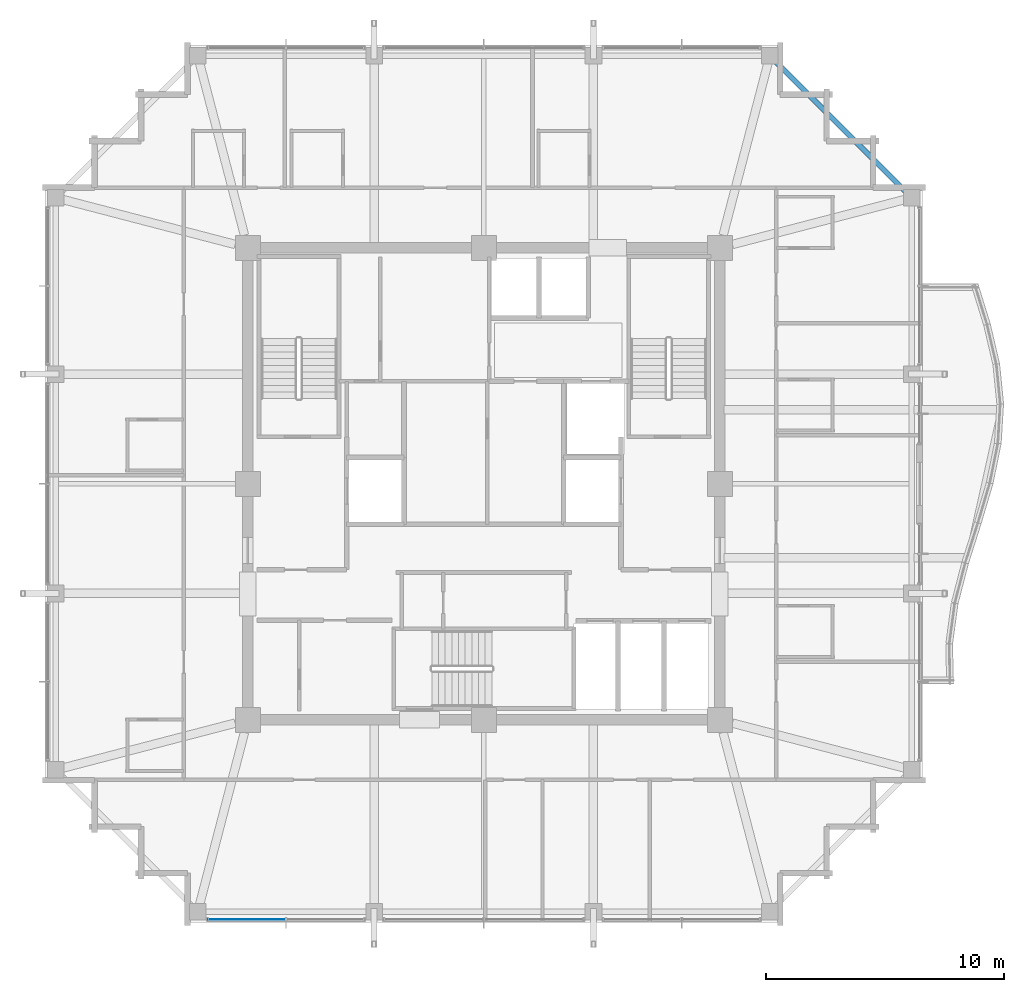
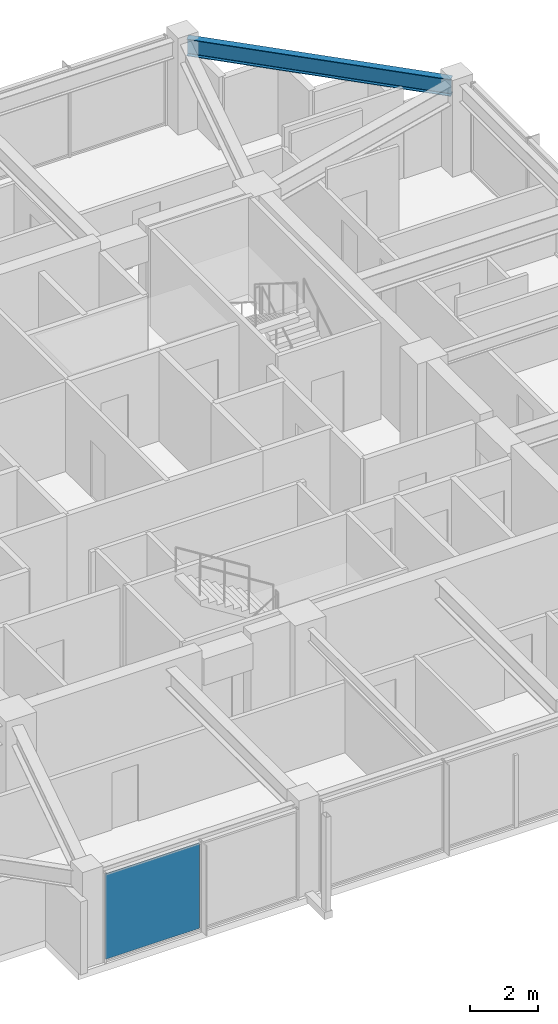
# One storey, part 18 of 29: 1 beam, 1 plate, 1 element without a shape of its own.
"""IFC4 building model written with IfcOpenShell, lengths in metres."""

from ifc_helpers import new_model, si_unit, direction, frame, origin, origin_2d, place, context, subcontext, project, spatial, rectangle, i_section, extrude, material, layer, layer_set, material_profile, profile_set, type_object, element, aggregate, save


model = new_model("IFC4")

# Units and contexts
model_context = context("Model", 3, precision=1e-05, world=origin(), true_north=direction((0.0, 1.0)))
body_context = subcontext(model_context, "Body", "Model", "MODEL_VIEW")
ifc_project = project(units=[si_unit("LENGTHUNIT", "METRE"), si_unit("AREAUNIT", "SQUARE_METRE"), si_unit("VOLUMEUNIT", "CUBIC_METRE"), si_unit("PLANEANGLEUNIT", "RADIAN"), si_unit("MASSUNIT", "GRAM", prefix="KILO")], contexts=[model_context])

# Site, building, storey
site_placement = place(None, origin())
site = spatial("IfcSite", under=ifc_project, at=site_placement, CompositionType="ELEMENT")
building_placement = place(site_placement, origin())
building = spatial("IfcBuilding", under=site, at=building_placement, Name="Kolvaren Belvedere", CompositionType="ELEMENT")
storey_placement = place(building_placement, frame((0.0, 0.0, 244.39990234375)))
storey = spatial("IfcBuildingStorey", under=building, at=storey_placement, Name="L71", CompositionType="ELEMENT", Elevation=244.39990234375)

# Beam
ifc_material_1 = material(Name="Structural steel ASTM A992 Grade 50", Category="steel")
ifc_material_profile = material_profile(ifc_material_1, i_section(OverallWidth=0.22900390625, OverallDepth=0.612060546875, WebThickness=0.011962890625, FlangeThickness=0.01953125, FilletRadius=0.01806640625, at=origin_2d()), Name="W24X84")
ifc_profile_set = profile_set([ifc_material_profile], Name="Structural steel ASTM A992 Grade 50")
beam_type = type_object("IfcBeamType", Name="BM-SPAN-W24X84", PredefinedType="SPANDREL", material=ifc_profile_set)
beam_placement = place(storey_placement, frame((17.838623046875, 12.111328125, 2.944091796875), z_axis=(-0.707106781187, 0.707106781187, 0.0), x_axis=(-0.707106781187, -0.707106781187, 0.0)))
element("IfcBeam", 1, at=beam_placement, inside=storey, type_object=beam_type, Name="L71 Perimeter Spandrel E4-N4", PredefinedType="SPANDREL", context=body_context, shape_type="SweptSolid", body=[
    extrude(i_section(OverallWidth=0.22900390625, OverallDepth=0.612060546875, WebThickness=0.011962890625, FlangeThickness=0.01953125, FilletRadius=0.01806640625, at=origin_2d()), origin(), (0.0, 0.0, 1.0), 8.099609375),
])

# Curtain wall, plate
ifc_material_2 = material(Name="Anodised pale-metal aluminium AA 6063-T6", Category="aluminium")
curtain_wall_type = type_object("IfcCurtainWallType", Name="CW-Z5-HIGH", PredefinedType="NOTDEFINED", material=ifc_material_2)
curtain_wall_placement = place(storey_placement, origin())
curtain_wall = element("IfcCurtainWall", 2, at=curtain_wall_placement, inside=storey, type_object=curtain_wall_type, Name="L71 Unitised Curtain Wall FCW-L71-S-B3", PredefinedType="NOTDEFINED")
ifc_material_3 = material(Name="Low-iron triple insulated glass", Category="glass")
ifc_layer = layer(ifc_material_3, 0.028076171875)
ifc_layer_set = layer_set([ifc_layer], Name="Low-iron triple insulated glass")
plate_type = type_object("IfcPlateType", Name="CW-PNL-VIS28", PredefinedType="CURTAIN_PANEL", material=ifc_layer_set)
plate_placement = place(storey_placement, frame((-9.947509765625, -18.280029296875, 0.080078125), z_axis=(0.0, 0.0, 1.0), x_axis=(-1.0, 0.0, 0.0)))
plate = element("IfcPlate", 3, at=plate_placement, type_object=plate_type, Name="FCW-L71-S-B3 Vision Glazing Panel 2", PredefinedType="CURTAIN_PANEL", context=body_context, shape_type="SweptSolid", body=[
    extrude(rectangle(XDim=3.215087890625, YDim=0.028076171875, at=origin_2d()), origin(), (0.0, 0.0, 1.0), 3.090087890625),
])
aggregate(curtain_wall, [plate])

save(model, "model.ifc")
